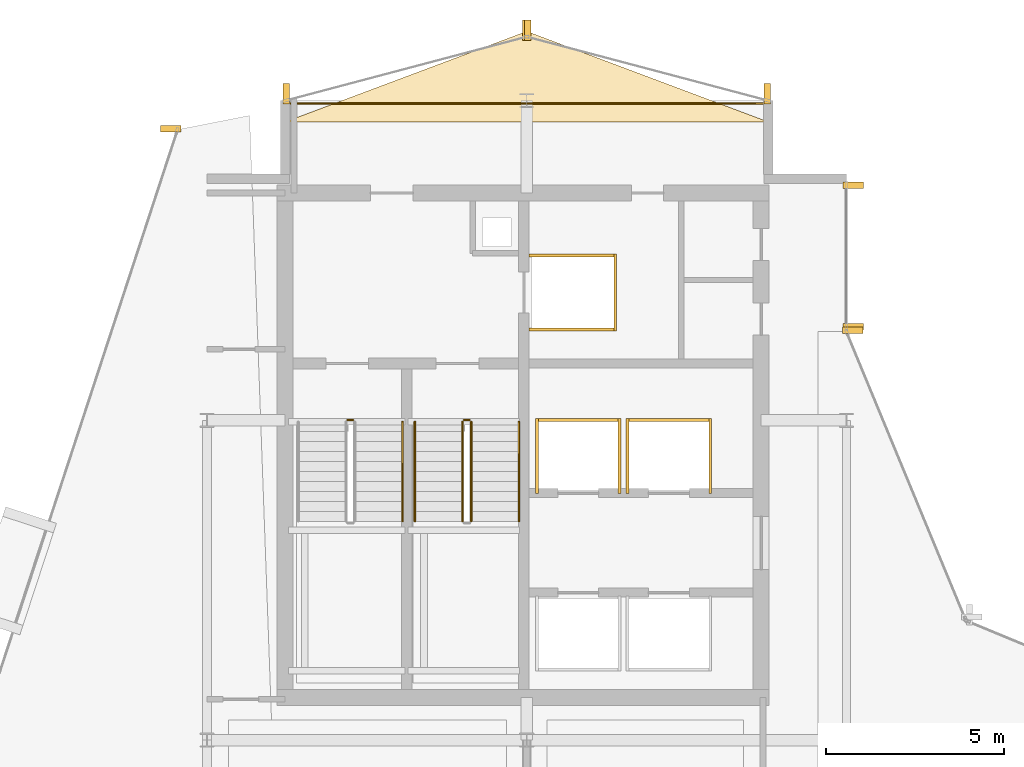
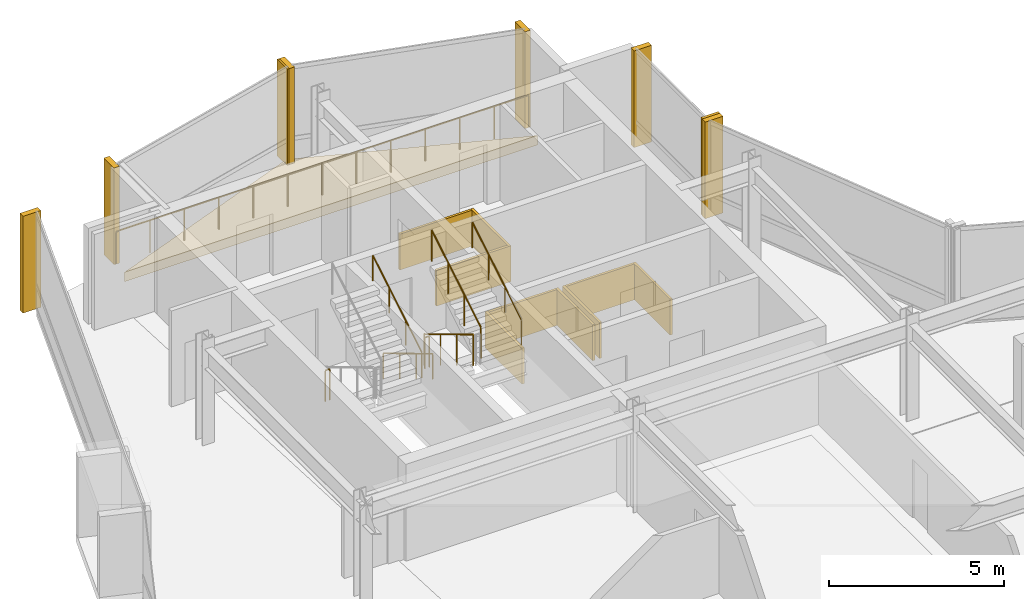
# One storey, part 27 of 27: 18 coverings, 8 railings.
"""IFC4 building model written with IfcOpenShell, lengths in metres."""

from ifc_helpers import new_model, si_unit, direction, frame, origin, origin_2d, place, context, subcontext, project, spatial, polyline, rectangle, circle, outline, extrude, material, layer, layer_set, type_object, element, save


model = new_model("IFC4")

# Units and contexts
model_context = context("Model", 3, precision=1e-05, world=origin(), true_north=direction((0.0, 1.0)))
body_context = subcontext(model_context, "Body", "Model", "MODEL_VIEW")
ifc_project = project(units=[si_unit("LENGTHUNIT", "METRE"), si_unit("AREAUNIT", "SQUARE_METRE"), si_unit("VOLUMEUNIT", "CUBIC_METRE"), si_unit("PLANEANGLEUNIT", "RADIAN"), si_unit("MASSUNIT", "GRAM", prefix="KILO")], contexts=[model_context])

# Site, building, storey
site_placement = place(None, origin())
site = spatial("IfcSite", under=ifc_project, at=site_placement, CompositionType="ELEMENT")
building_placement = place(site_placement, origin())
building = spatial("IfcBuilding", under=site, at=building_placement, Name="Solvaryn Broadcast Tower", CompositionType="ELEMENT")
storey_placement = place(building_placement, frame((0.0, 0.0, 232.10009765625)))
storey = spatial("IfcBuildingStorey", under=building, at=storey_placement, Name="L58", CompositionType="ELEMENT", Elevation=232.10009765625)

# Coverings
ifc_material_1 = material(Name="Fire-Rated Gypsum Shaftwall Liner", Category="concrete")
ifc_layer_1 = layer(ifc_material_1, 0.080078125)
ifc_layer_set_1 = layer_set([ifc_layer_1], Name="CV-SHAFT-LINER")
covering_type_1 = type_object("IfcCoveringType", Name="CV-SHAFT-LINER", PredefinedType="CLADDING", material=ifc_layer_set_1)
for number, where, z_axis, x_axis, name in (
    (1, (19.300048828125, 40.639892578125, 0.0), (0.0, 0.0, 1.0), (1.0, 0.0, 0.0), "L58 FL1 Hoistway Shaft Liner North"),
    (2, (19.300048828125, 38.56005859375, 0.0), (0.0, 0.0, 1.0), (1.0, 0.0, 0.0), "L58 FL1 Hoistway Shaft Liner South"),
):
    element("IfcCovering", number, at=place(storey_placement, frame(where, z_axis=z_axis, x_axis=x_axis)), inside=storey, type_object=covering_type_1, Name=name, PredefinedType="CLADDING", context=body_context, shape_type="SweptSolid", body=[
        extrude(rectangle(XDim=2.4599609375, YDim=0.080078125, at=origin_2d()), origin(), (0.0, 0.0, 1.0), 1.25),
    ])
covering_1_placement = place(storey_placement, frame((20.489990234375, 39.60009765625, 0.0), z_axis=(0.0, 0.0, 1.0), x_axis=(1.0, 0.0, 0.0)))
element("IfcCovering", 3, at=covering_1_placement, inside=storey, type_object=covering_type_1, Name="L58 FL1 Hoistway Shaft Liner East", PredefinedType="CLADDING", context=body_context, shape_type="SweptSolid", body=[
    extrude(rectangle(XDim=0.080078125, YDim=2.159912109375, at=origin_2d()), origin(), (0.0, 0.0, 1.0), 1.25),
])
covering_2_placement = place(storey_placement, frame((19.449951171875, 36.014892578125, 0.0), z_axis=(0.0, 0.0, 1.0), x_axis=(1.0, 0.0, 0.0)))
element("IfcCovering", 4, at=covering_2_placement, inside=storey, type_object=covering_type_1, Name="L58 PH3 Hoistway Shaft Liner North", PredefinedType="CLADDING", context=body_context, shape_type="SweptSolid", body=[
    extrude(rectangle(XDim=2.409912109375, YDim=0.080078125, at=origin_2d()), origin(), (0.0, 0.0, 1.0), 1.25),
])
for number, where, z_axis, x_axis, name in (
    (5, (20.614990234375, 35.0, 0.0), (0.0, 0.0, 1.0), (1.0, 0.0, 0.0), "L58 PH3 Hoistway Shaft Liner East"),
    (6, (18.284912109375, 35.0, 0.0), (0.0, 0.0, 1.0), (1.0, 0.0, 0.0), "L58 PH3 Hoistway Shaft Liner West"),
):
    element("IfcCovering", number, at=place(storey_placement, frame(where, z_axis=z_axis, x_axis=x_axis)), inside=storey, type_object=covering_type_1, Name=name, PredefinedType="CLADDING", context=body_context, shape_type="SweptSolid", body=[
        extrude(rectangle(XDim=0.080078125, YDim=2.110107421875, at=origin_2d()), origin(), (0.0, 0.0, 1.0), 1.25),
    ])
covering_3_placement = place(storey_placement, frame((22.0, 36.014892578125, 0.0), z_axis=(0.0, 0.0, 1.0), x_axis=(1.0, 0.0, 0.0)))
element("IfcCovering", 7, at=covering_3_placement, inside=storey, type_object=covering_type_1, Name="L58 PH4 Hoistway Shaft Liner North", PredefinedType="CLADDING", context=body_context, shape_type="SweptSolid", body=[
    extrude(rectangle(XDim=2.409912109375, YDim=0.080078125, at=origin_2d()), origin(), (0.0, 0.0, 1.0), 1.25),
])
for number, where, z_axis, x_axis, name in (
    (8, (23.1650390625, 35.0, 0.0), (0.0, 0.0, 1.0), (1.0, 0.0, 0.0), "L58 PH4 Hoistway Shaft Liner East"),
    (9, (20.8349609375, 35.0, 0.0), (0.0, 0.0, 1.0), (1.0, 0.0, 0.0), "L58 PH4 Hoistway Shaft Liner West"),
):
    element("IfcCovering", number, at=place(storey_placement, frame(where, z_axis=z_axis, x_axis=x_axis)), inside=storey, type_object=covering_type_1, Name=name, PredefinedType="CLADDING", context=body_context, shape_type="SweptSolid", body=[
        extrude(rectangle(XDim=0.080078125, YDim=2.110107421875, at=origin_2d()), origin(), (0.0, 0.0, 1.0), 1.25),
    ])
ifc_material_2 = material(Name="Extruded Architectural Terracotta Fin", Category="masonry")
ifc_layer_2 = layer(ifc_material_2, 0.179931640625)
ifc_layer_set_2 = layer_set([ifc_layer_2], Name="CV-TC-FIN")
covering_type_2 = type_object("IfcCoveringType", Name="CV-TC-FIN", PredefinedType="USERDEFINED", material=ifc_layer_set_2)
for number, where, z_axis, x_axis, name in (
    (10, (7.982666015625, 44.209716796875, -0.000244140625), (0.0, 0.0, 1.0), (1.0, 0.0, 0.0), "L58 Terracotta Vertical Fin FIN-L58-DR1-M00"),
    (11, (27.1875, 42.6201171875, -0.000244140625), (0.0, 0.0, 1.0), (1.0, 0.0, 0.0), "L58 Terracotta Vertical Fin FIN-L58-IV-M00"),
    (12, (27.1875, 38.6298828125, -0.000244140625), (0.0, 0.0, 1.0), (1.0, 0.0, 0.0), "L58 Terracotta Vertical Fin FIN-L58-IV-M01"),
    (13, (27.177978515625, 38.541259765625, -0.000244140625), (0.0, 0.0, 1.0), (1.0, 0.0, 0.0), "L58 Terracotta Vertical Fin FIN-L58-CN2-M01"),
):
    element("IfcCovering", number, at=place(storey_placement, frame(where, z_axis=z_axis, x_axis=x_axis)), inside=storey, type_object=covering_type_2, Name=name, ObjectType="FIN", PredefinedType="USERDEFINED", context=body_context, shape_type="SweptSolid", body=[
        extrude(rectangle(XDim=0.580078125, YDim=0.179931640625, at=origin_2d()), origin(), (0.0, 0.0, 1.0), 3.3701171875),
    ])
for number, where, z_axis, x_axis, name in (
    (14, (24.77099609375, 45.1953125, -0.000244140625), (0.0, 0.0, 1.0), (1.0, 0.0, 0.0), "L58 Terracotta Vertical Fin FIN-L58-NT1-M00"),
    (15, (18.029052734375, 46.979736328125, -0.000244140625), (0.0, 0.0, 1.0), (1.0, 0.0, 0.0), "L58 Terracotta Vertical Fin FIN-L58-NT1-M01"),
    (16, (17.970947265625, 46.979736328125, -0.000244140625), (0.0, 0.0, 1.0), (1.0, 0.0, 0.0), "L58 Terracotta Vertical Fin FIN-L58-NT2-M00"),
    (17, (11.22900390625, 45.1953125, -0.000244140625), (0.0, 0.0, 1.0), (1.0, 0.0, 0.0), "L58 Terracotta Vertical Fin FIN-L58-NT2-M01"),
):
    element("IfcCovering", number, at=place(storey_placement, frame(where, z_axis=z_axis, x_axis=x_axis)), inside=storey, type_object=covering_type_2, Name=name, ObjectType="FIN", PredefinedType="USERDEFINED", context=body_context, shape_type="SweptSolid", body=[
        extrude(rectangle(XDim=0.179931640625, YDim=0.580078125, at=origin_2d()), origin(), (0.0, 0.0, 1.0), 3.3701171875),
    ])
ifc_material_3 = material(Name="Sculpted Architectural Terracotta Wave Fascia", Category="masonry")
ifc_layer_3 = layer(ifc_material_3, 0.340087890625)
ifc_layer_set_3 = layer_set([ifc_layer_3], Name="CV-WAVE-TRAY")
covering_type_3 = type_object("IfcCoveringType", Name="CV-WAVE-TRAY", PredefinedType="CLADDING", material=ifc_layer_set_3)
covering_4_placement = place(storey_placement, frame((0.0, 0.0, -0.300048828125)))
element("IfcCovering", 18, at=covering_4_placement, inside=storey, type_object=covering_type_3, Name="L58 North Curved Wing Deck", PredefinedType="CLADDING", context=body_context, shape_type="SweptSolid", body=[
    extrude(outline(polyline([(11.199951171875, 44.39990234375), (24.800048828125, 44.39990234375), (18.0, 46.949951171875), (11.199951171875, 44.39990234375)])), origin(), (0.0, 0.0, 1.0), 0.329833984375),
])

# Railings
ifc_material_4 = material(Name="Painted Steel Stair Well Guard", Category="steel")
railing_type_1 = type_object("IfcRailingType", Name="RL-STAIR-GUARD", PredefinedType="BALUSTRADE", material=ifc_material_4)
railing_1_placement = place(storey_placement, frame((12.9599609375, 36.010009765625, 0.0)))
element("IfcRailing", 19, at=railing_1_placement, inside=storey, type_object=railing_type_1, Name="L58 ST1 stair guard 4", PredefinedType="BALUSTRADE", context=body_context, shape_type="SweptSolid", body=[
    extrude(circle(Radius=0.02392578125, at=origin_2d()), frame((0.0, 0.0, 1.076171875), z_axis=(1.0, 0.0, 0.0), x_axis=(0.0, 1.0, 0.0)), (0.0, 0.0, 1.0), 0.150146484375),
    extrude(circle(Radius=0.02099609375, at=origin_2d()), origin(), (0.0, 0.0, 1.0), 1.052001953125),
    extrude(circle(Radius=0.02099609375, at=origin_2d()), frame((0.150146484375, 0.0, 0.0)), (0.0, 0.0, 1.0), 1.052001953125),
])
railing_2_placement = place(storey_placement, frame((16.18994140625, 35.9599609375, 0.16796875)))
element("IfcRailing", 20, at=railing_2_placement, inside=storey, type_object=railing_type_1, Name="L58 ST2 stair guard 1", PredefinedType="BALUSTRADE", context=body_context, shape_type="SweptSolid", body=[
    extrude(circle(Radius=0.02392578125, at=origin_2d()), frame((0.0, 0.0, 1.076171875), z_axis=(0.0, -0.857242210791, 0.514913383045), x_axis=(1.0, 0.0, 0.0)), (0.0, 0.0, 1.0), 3.266357421875),
    extrude(circle(Radius=0.02099609375, at=origin_2d()), origin(), (0.0, 0.0, 1.0), 1.052001953125),
    extrude(circle(Radius=0.02099609375, at=origin_2d()), frame((0.0, -0.933349609375, 0.560546875)), (0.0, 0.0, 1.0), 1.052001953125),
    extrude(circle(Radius=0.02099609375, at=origin_2d()), frame((0.0, -1.86669921875, 1.121337890625)), (0.0, 0.0, 1.0), 1.052001953125),
    extrude(circle(Radius=0.02099609375, at=origin_2d()), frame((0.0, -2.800048828125, 1.681884765625)), (0.0, 0.0, 1.0), 1.052001953125),
])
railing_3_placement = place(storey_placement, frame((16.43994140625, 33.159912109375, 2.01806640625)))
element("IfcRailing", 21, at=railing_3_placement, inside=storey, type_object=railing_type_1, Name="L58 ST2 stair guard 3", PredefinedType="BALUSTRADE", context=body_context, shape_type="SweptSolid", body=[
    extrude(circle(Radius=0.02392578125, at=origin_2d()), frame((0.0, 0.0, 1.076171875), z_axis=(0.0, 0.857242210791, 0.514913383045), x_axis=(-1.0, 0.0, 0.0)), (0.0, 0.0, 1.0), 3.266357421875),
    extrude(circle(Radius=0.02099609375, at=origin_2d()), origin(), (0.0, 0.0, 1.0), 1.052001953125),
    extrude(circle(Radius=0.02099609375, at=origin_2d()), frame((0.0, 0.933349609375, 0.560546875)), (0.0, 0.0, 1.0), 1.052001953125),
    extrude(circle(Radius=0.02099609375, at=origin_2d()), frame((0.0, 1.86669921875, 1.121337890625)), (0.0, 0.0, 1.0), 1.052001953125),
    extrude(circle(Radius=0.02099609375, at=origin_2d()), frame((0.0, 2.800048828125, 1.681884765625)), (0.0, 0.0, 1.0), 1.052001953125),
])
railing_4_placement = place(storey_placement, frame((16.239990234375, 36.010009765625, 0.0)))
element("IfcRailing", 22, at=railing_4_placement, inside=storey, type_object=railing_type_1, Name="L58 ST2 stair guard 4", PredefinedType="BALUSTRADE", context=body_context, shape_type="SweptSolid", body=[
    extrude(circle(Radius=0.02392578125, at=origin_2d()), frame((0.0, 0.0, 1.076171875), z_axis=(1.0, 0.0, 0.0), x_axis=(0.0, 1.0, 0.0)), (0.0, 0.0, 1.0), 0.14990234375),
    extrude(circle(Radius=0.02099609375, at=origin_2d()), origin(), (0.0, 0.0, 1.0), 1.052001953125),
    extrude(circle(Radius=0.02099609375, at=origin_2d()), frame((0.14990234375, 0.0, 0.0)), (0.0, 0.0, 1.0), 1.052001953125),
])
ifc_material_5 = material(Name="Brushed Stainless Steel Tubular Handrail", Category="steel")
railing_type_2 = type_object("IfcRailingType", Name="RL-STAIR-HANDRAIL", PredefinedType="HANDRAIL", material=ifc_material_5)
railing_5_placement = place(storey_placement, frame((14.5, 33.159912109375, 2.01806640625)))
element("IfcRailing", 23, at=railing_5_placement, inside=storey, type_object=railing_type_2, Name="L58 ST1 stair handrail 2", PredefinedType="HANDRAIL", context=body_context, shape_type="SweptSolid", body=[
    extrude(circle(Radius=0.02392578125, at=origin_2d()), frame((0.0, 0.0, 0.8759765625), z_axis=(0.0, 0.857242210791, 0.514913383045), x_axis=(-1.0, 0.0, 0.0)), (0.0, 0.0, 1.0), 3.266357421875),
    extrude(circle(Radius=0.02099609375, at=origin_2d()), origin(), (0.0, 0.0, 1.0), 0.851806640625),
    extrude(circle(Radius=0.02099609375, at=origin_2d()), frame((0.0, 0.933349609375, 0.560546875)), (0.0, 0.0, 1.0), 0.851806640625),
    extrude(circle(Radius=0.02099609375, at=origin_2d()), frame((0.0, 1.86669921875, 1.121337890625)), (0.0, 0.0, 1.0), 0.851806640625),
    extrude(circle(Radius=0.02099609375, at=origin_2d()), frame((0.0, 2.800048828125, 1.681884765625)), (0.0, 0.0, 1.0), 0.851806640625),
])
railing_6_placement = place(storey_placement, frame((14.85009765625, 35.9599609375, 0.16796875)))
element("IfcRailing", 24, at=railing_6_placement, inside=storey, type_object=railing_type_2, Name="L58 ST2 stair handrail 1", PredefinedType="HANDRAIL", context=body_context, shape_type="SweptSolid", body=[
    extrude(circle(Radius=0.02392578125, at=origin_2d()), frame((0.0, 0.0, 0.8759765625), z_axis=(0.0, -0.857242210791, 0.514913383045), x_axis=(1.0, 0.0, 0.0)), (0.0, 0.0, 1.0), 3.266357421875),
    extrude(circle(Radius=0.02099609375, at=origin_2d()), origin(), (0.0, 0.0, 1.0), 0.851806640625),
    extrude(circle(Radius=0.02099609375, at=origin_2d()), frame((0.0, -0.933349609375, 0.560546875)), (0.0, 0.0, 1.0), 0.851806640625),
    extrude(circle(Radius=0.02099609375, at=origin_2d()), frame((0.0, -1.86669921875, 1.121337890625)), (0.0, 0.0, 1.0), 0.851806640625),
    extrude(circle(Radius=0.02099609375, at=origin_2d()), frame((0.0, -2.800048828125, 1.681884765625)), (0.0, 0.0, 1.0), 0.851806640625),
])
railing_7_placement = place(storey_placement, frame((17.780029296875, 33.159912109375, 2.01806640625)))
element("IfcRailing", 25, at=railing_7_placement, inside=storey, type_object=railing_type_2, Name="L58 ST2 stair handrail 2", PredefinedType="HANDRAIL", context=body_context, shape_type="SweptSolid", body=[
    extrude(circle(Radius=0.02392578125, at=origin_2d()), frame((0.0, 0.0, 0.8759765625), z_axis=(0.0, 0.857242210791, 0.514913383045), x_axis=(-1.0, 0.0, 0.0)), (0.0, 0.0, 1.0), 3.266357421875),
    extrude(circle(Radius=0.02099609375, at=origin_2d()), origin(), (0.0, 0.0, 1.0), 0.851806640625),
    extrude(circle(Radius=0.02099609375, at=origin_2d()), frame((0.0, 0.933349609375, 0.560546875)), (0.0, 0.0, 1.0), 0.851806640625),
    extrude(circle(Radius=0.02099609375, at=origin_2d()), frame((0.0, 1.86669921875, 1.121337890625)), (0.0, 0.0, 1.0), 0.851806640625),
    extrude(circle(Radius=0.02099609375, at=origin_2d()), frame((0.0, 2.800048828125, 1.681884765625)), (0.0, 0.0, 1.0), 0.851806640625),
])
ifc_material_6 = material(Name="Stainless Steel and Laminated Glass Guard", Category="steel")
railing_type_3 = type_object("IfcRailingType", Name="RL-TER-1150", PredefinedType="BALUSTRADE", material=ifc_material_6)
railing_8_placement = place(storey_placement, frame((11.199951171875, 44.919921875, 0.0)))
element("IfcRailing", 26, at=railing_8_placement, inside=storey, type_object=railing_type_3, Name="L58 North Wing Spandrel Edge Guard", PredefinedType="BALUSTRADE", context=body_context, shape_type="SweptSolid", body=[
    extrude(circle(Radius=0.02392578125, at=origin_2d()), frame((0.0, 0.0, 1.1259765625), z_axis=(1.0, 0.0, 0.0), x_axis=(0.0, 1.0, 0.0)), (0.0, 0.0, 1.0), 13.60009765625),
    extrude(circle(Radius=0.02099609375, at=origin_2d()), origin(), (0.0, 0.0, 1.0), 1.101806640625),
    extrude(circle(Radius=0.02099609375, at=origin_2d()), frame((1.13330078125, 0.0, 0.0)), (0.0, 0.0, 1.0), 1.101806640625),
    extrude(circle(Radius=0.02099609375, at=origin_2d()), frame((2.2666015625, 0.0, 0.0)), (0.0, 0.0, 1.0), 1.101806640625),
    extrude(circle(Radius=0.02099609375, at=origin_2d()), frame((3.39990234375, 0.0, 0.0)), (0.0, 0.0, 1.0), 1.101806640625),
    extrude(circle(Radius=0.02099609375, at=origin_2d()), frame((4.533447265625, 0.0, 0.0)), (0.0, 0.0, 1.0), 1.101806640625),
    extrude(circle(Radius=0.02099609375, at=origin_2d()), frame((5.666748046875, 0.0, 0.0)), (0.0, 0.0, 1.0), 1.101806640625),
    extrude(circle(Radius=0.02099609375, at=origin_2d()), frame((6.800048828125, 0.0, 0.0)), (0.0, 0.0, 1.0), 1.101806640625),
    extrude(circle(Radius=0.02099609375, at=origin_2d()), frame((7.933349609375, 0.0, 0.0)), (0.0, 0.0, 1.0), 1.101806640625),
    extrude(circle(Radius=0.02099609375, at=origin_2d()), frame((9.066650390625, 0.0, 0.0)), (0.0, 0.0, 1.0), 1.101806640625),
    extrude(circle(Radius=0.02099609375, at=origin_2d()), frame((10.2001953125, 0.0, 0.0)), (0.0, 0.0, 1.0), 1.101806640625),
    extrude(circle(Radius=0.02099609375, at=origin_2d()), frame((11.33349609375, 0.0, 0.0)), (0.0, 0.0, 1.0), 1.101806640625),
    extrude(circle(Radius=0.02099609375, at=origin_2d()), frame((12.466796875, 0.0, 0.0)), (0.0, 0.0, 1.0), 1.101806640625),
    extrude(circle(Radius=0.02099609375, at=origin_2d()), frame((13.60009765625, 0.0, 0.0)), (0.0, 0.0, 1.0), 1.101806640625),
])

save(model, "model.ifc")
